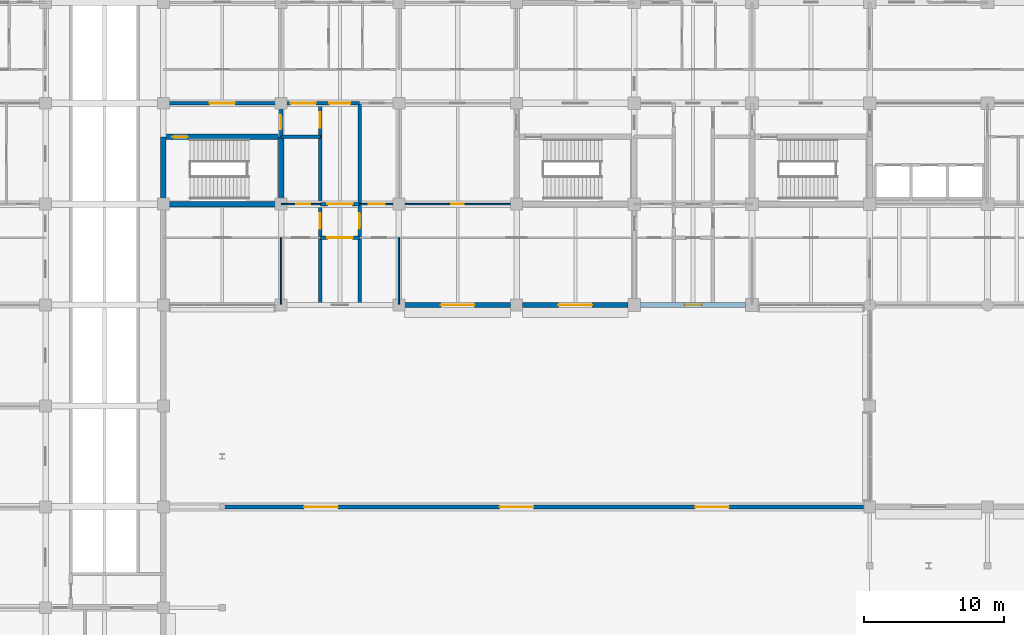
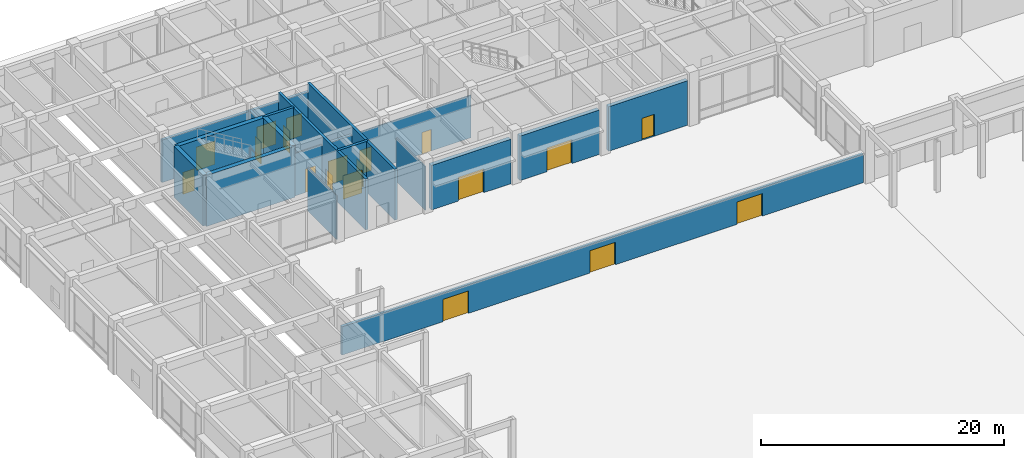
# One storey, part 41 of 73: 19 doors, 19 walls, 19 openings.
"""IFC4 building model written with IfcOpenShell, lengths in metres."""

from ifc_helpers import new_model, si_unit, direction, frame, frame_2d, origin, place, context, subcontext, project, spatial, rectangle, extrude, material, layer, layer_set, type_object, element, fill, save


model = new_model("IFC4")

# Units and contexts
model_context = context("Model", 3, precision=1e-05, world=origin(), true_north=direction((0.0, 1.0)))
body_context = subcontext(model_context, "Body", "Model", "MODEL_VIEW")
ifc_project = project(units=[si_unit("LENGTHUNIT", "METRE"), si_unit("AREAUNIT", "SQUARE_METRE"), si_unit("VOLUMEUNIT", "CUBIC_METRE"), si_unit("PLANEANGLEUNIT", "RADIAN"), si_unit("MASSUNIT", "GRAM", prefix="KILO")], contexts=[model_context])

# Site, building, storey
site_placement = place(None, origin())
site = spatial("IfcSite", under=ifc_project, at=site_placement, CompositionType="ELEMENT")
building_placement = place(site_placement, origin())
building = spatial("IfcBuilding", under=site, at=building_placement, Name="Chengyuan Square Courthouse", CompositionType="ELEMENT")
storey_placement = place(building_placement, origin())
storey = spatial("IfcBuildingStorey", under=building, at=storey_placement, Name="L01", CompositionType="ELEMENT", Elevation=0.0)

# Wall, opening, door
ifc_material_1 = material(Name="Concrete C40", Category="concrete")
ifc_layer_1 = layer(ifc_material_1, 0.3798828125)
ifc_layer_set_1 = layer_set([ifc_layer_1], Name="Concrete C40")
wall_type_1 = type_object("IfcWallType", Name="WL-EW1", PredefinedType="STANDARD", material=ifc_layer_set_1)
wall_1_placement = place(storey_placement, frame((34.02001953125, 79.199951171875, 0.0), z_axis=(0.0, 0.0, 1.0), x_axis=(1.0, 0.0, 0.0)))
wall_1 = element("IfcWall", 1, at=wall_1_placement, inside=storey, type_object=wall_type_1, Name="Exterior Wall WL-L01-E164", PredefinedType="STANDARD", context=body_context, shape_type="SweptSolid", body=[
    extrude(rectangle(XDim=7.56005859375, YDim=0.3798828125, at=frame_2d((3.780029296875, 0.0))), origin(), (0.0, 0.0, 1.0), 4.469970703125),
])
opening_1_placement = place(wall_1_placement, frame((2.580078125, 0.0, 0.0)))
opening_1 = element("IfcOpeningElement", 2, at=opening_1_placement, cuts=wall_1, Name="Opening E-15", PredefinedType="OPENING", context=body_context, shape_type="SweptSolid", body=[
    extrude(rectangle(XDim=2.39990234375, YDim=2.39990234375, at=frame_2d((1.199951171875, 1.199951171875))), frame((0.0, 0.201904296875, 0.0), z_axis=(0.0, -1.0, 0.0), x_axis=(1.0, 0.0, 0.0)), (0.0, 0.0, 1.0), 0.40380859375),
])
ifc_material_2 = material(Name="Glazed Bronze Civic Entrance Door")
door_type_1 = type_object("IfcDoorType", Name="DT-01", OperationType="DOUBLE_DOOR_SINGLE_SWING", PredefinedType="DOOR", material=ifc_material_2)
door_1_placement = place(opening_1_placement, frame((2.39990234375, 0.0, 0.0), z_axis=(0.0, 0.0, 1.0), x_axis=(-1.0, 0.0, 0.0)))
door_1 = element("IfcDoor", 3, at=door_1_placement, inside=storey, type_object=door_type_1, Name="Main Pedestrian Entrance Exit Door E-15", OperationType="DOUBLE_DOOR_SINGLE_SWING", OverallHeight=2.39990234375, OverallWidth=2.39990234375, PredefinedType="DOOR", context=body_context, shape_type="SweptSolid", body=[
    extrude(rectangle(XDim=2.39990234375, YDim=2.39990234375, at=frame_2d((1.199951171875, 1.199951171875))), frame((0.0, 0.02490234375, 0.0), z_axis=(0.0, -1.0, 0.0), x_axis=(1.0, 0.0, 0.0)), (0.0, 0.0, 1.0), 0.050048828125),
])
fill(opening_1, door_1)

wall_2_placement = place(storey_placement, frame((42.419921875, 79.199951171875, 0.0), z_axis=(0.0, 0.0, 1.0), x_axis=(1.0, 0.0, 0.0)))
wall_2 = element("IfcWall", 4, at=wall_2_placement, inside=storey, type_object=wall_type_1, Name="Exterior Wall WL-L01-E165", PredefinedType="STANDARD", context=body_context, shape_type="SweptSolid", body=[
    extrude(rectangle(XDim=7.53515625, YDim=0.3798828125, at=frame_2d((3.767578125, 0.0))), origin(), (0.0, 0.0, 1.0), 4.469970703125),
])
opening_2_placement = place(wall_2_placement, frame((2.5673828125, 0.0, 0.0)))
opening_2 = element("IfcOpeningElement", 5, at=opening_2_placement, cuts=wall_2, Name="Opening E-13", PredefinedType="OPENING", context=body_context, shape_type="SweptSolid", body=[
    extrude(rectangle(XDim=2.39990234375, YDim=2.39990234375, at=frame_2d((1.199951171875, 1.199951171875))), frame((0.0, 0.201904296875, 0.0), z_axis=(0.0, -1.0, 0.0), x_axis=(1.0, 0.0, 0.0)), (0.0, 0.0, 1.0), 0.40380859375),
])
door_2_placement = place(opening_2_placement, frame((2.39990234375, 0.0, 0.0), z_axis=(0.0, 0.0, 1.0), x_axis=(-1.0, 0.0, 0.0)))
door_2 = element("IfcDoor", 6, at=door_2_placement, inside=storey, type_object=door_type_1, Name="Main Pedestrian Entrance Exit Door E-13", OperationType="DOUBLE_DOOR_SINGLE_SWING", OverallHeight=2.39990234375, OverallWidth=2.39990234375, PredefinedType="DOOR", context=body_context, shape_type="SweptSolid", body=[
    extrude(rectangle(XDim=2.39990234375, YDim=2.39990234375, at=frame_2d((1.199951171875, 1.199951171875))), frame((0.0, 0.02490234375, 0.0), z_axis=(0.0, -1.0, 0.0), x_axis=(1.0, 0.0, 0.0)), (0.0, 0.0, 1.0), 0.050048828125),
])
fill(opening_2, door_2)

wall_3_placement = place(storey_placement, frame((50.844970703125, 79.199951171875, 0.0), z_axis=(0.0, 0.0, 1.0), x_axis=(1.0, 0.0, 0.0)))
wall_3 = element("IfcWall", 7, at=wall_3_placement, inside=storey, type_object=wall_type_1, Name="Exterior Wall WL-L01-E167", PredefinedType="STANDARD", context=body_context, shape_type="SweptSolid", body=[
    extrude(rectangle(XDim=7.510009765625, YDim=0.3798828125, at=frame_2d((3.7548828125, 0.0))), origin(), (0.0, 0.0, 1.0), 4.469970703125),
])
opening_3_placement = place(wall_3_placement, frame((3.155029296875, 0.0, 0.0)))
opening_3 = element("IfcOpeningElement", 8, at=opening_3_placement, cuts=wall_3, Name="Opening E-26", PredefinedType="OPENING", context=body_context, shape_type="SweptSolid", body=[
    extrude(rectangle(XDim=1.199951171875, YDim=2.199951171875, at=frame_2d((0.60009765625, 1.10009765625))), frame((0.0, 0.201904296875, 0.0), z_axis=(0.0, -1.0, 0.0), x_axis=(1.0, 0.0, 0.0)), (0.0, 0.0, 1.0), 0.40380859375),
])
ifc_material_3 = material(Name="Steel Q235B Fire Exit Door", Category="steel")
door_type_2 = type_object("IfcDoorType", Name="DT-03", OperationType="NOTDEFINED", PredefinedType="DOOR", material=ifc_material_3)
door_3_placement = place(opening_3_placement, frame((1.199951171875, 0.0, 0.0), z_axis=(0.0, 0.0, 1.0), x_axis=(-1.0, 0.0, 0.0)))
door_3 = element("IfcDoor", 9, at=door_3_placement, inside=storey, type_object=door_type_2, Name="Protected Stair Exit Discharge Door E-26", OperationType="SINGLE_SWING_RIGHT", OverallHeight=2.199951171875, OverallWidth=1.199951171875, PredefinedType="DOOR", context=body_context, shape_type="SweptSolid", body=[
    extrude(rectangle(XDim=1.199951171875, YDim=2.199951171875, at=frame_2d((0.60009765625, 1.10009765625))), frame((0.0, 0.02490234375, 0.0), z_axis=(0.0, -1.0, 0.0), x_axis=(1.0, 0.0, 0.0)), (0.0, 0.0, 1.0), 0.050048828125),
])
fill(opening_3, door_3)

# Wall, openings, doors
ifc_layer_2 = layer(ifc_material_1, 0.280029296875)
ifc_layer_set_2 = layer_set([ifc_layer_2], Name="Concrete C40")
wall_type_2 = type_object("IfcWallType", Name="WL-EW4", PredefinedType="STANDARD", material=ifc_layer_set_2)
wall_4_placement = place(storey_placement, frame((17.25, 64.800048828125, 0.0), z_axis=(0.0, 0.0, 1.0), x_axis=(1.0, 0.0, 0.0)))
wall_4 = element("IfcWall", 10, at=wall_4_placement, inside=storey, type_object=wall_type_2, Name="Forecourt Ceremonial Colonnade Screen WL-SCR-W", PredefinedType="STANDARD", context=body_context, shape_type="SweptSolid", body=[
    extrude(rectangle(XDim=49.5, YDim=0.280029296875, at=frame_2d((24.75, 0.0))), origin(), (0.0, 0.0, 1.0), 2.85009765625),
])
opening_4_placement = place(wall_4_placement, frame((9.60009765625, 0.0, 0.0)))
opening_4 = element("IfcOpeningElement", 11, at=opening_4_placement, cuts=wall_4, Name="Opening GT-01", PredefinedType="OPENING", context=body_context, shape_type="SweptSolid", body=[
    extrude(rectangle(XDim=2.39990234375, YDim=2.25, at=frame_2d((1.199951171875, 1.125))), frame((0.0, 0.152099609375, 0.0), z_axis=(0.0, -1.0, 0.0), x_axis=(1.0, 0.0, 0.0)), (0.0, 0.0, 1.0), 0.303955078125),
])
opening_5_placement = place(wall_4_placement, frame((23.550048828125, 0.0, 0.0)))
opening_5 = element("IfcOpeningElement", 12, at=opening_5_placement, cuts=wall_4, Name="Opening GT-02", PredefinedType="OPENING", context=body_context, shape_type="SweptSolid", body=[
    extrude(rectangle(XDim=2.39990234375, YDim=2.25, at=frame_2d((1.199951171875, 1.125))), frame((0.0, 0.152099609375, 0.0), z_axis=(0.0, -1.0, 0.0), x_axis=(1.0, 0.0, 0.0)), (0.0, 0.0, 1.0), 0.303955078125),
])
opening_6_placement = place(wall_4_placement, frame((37.5, 0.0, 0.0)))
opening_6 = element("IfcOpeningElement", 13, at=opening_6_placement, cuts=wall_4, Name="Opening GT-03", PredefinedType="OPENING", context=body_context, shape_type="SweptSolid", body=[
    extrude(rectangle(XDim=2.39990234375, YDim=2.25, at=frame_2d((1.199951171875, 1.125))), frame((0.0, 0.152099609375, 0.0), z_axis=(0.0, -1.0, 0.0), x_axis=(1.0, 0.0, 0.0)), (0.0, 0.0, 1.0), 0.303955078125),
])
ifc_material_4 = material(Name="Steel Q235B Courtyard Gate", Category="steel")
door_type_3 = type_object("IfcDoorType", Name="DT-45", OperationType="DOUBLE_DOOR_SINGLE_SWING", PredefinedType="GATE", material=ifc_material_4)
door_4_placement = place(opening_4_placement, frame((2.39990234375, 0.0, 0.0), z_axis=(0.0, 0.0, 1.0), x_axis=(-1.0, 0.0, 0.0)))
door_4 = element("IfcDoor", 14, at=door_4_placement, inside=storey, type_object=door_type_3, Name="Forecourt Ceremonial Gate GT-01", OperationType="DOUBLE_DOOR_SINGLE_SWING", OverallHeight=2.25, OverallWidth=2.39990234375, PredefinedType="GATE", context=body_context, shape_type="SweptSolid", body=[
    extrude(rectangle(XDim=2.39990234375, YDim=2.25, at=frame_2d((1.199951171875, 1.125))), frame((0.0, 0.02490234375, 0.0), z_axis=(0.0, -1.0, 0.0), x_axis=(1.0, 0.0, 0.0)), (0.0, 0.0, 1.0), 0.050048828125),
])
fill(opening_4, door_4)
door_5_placement = place(opening_5_placement, frame((2.39990234375, 0.0, 0.0), z_axis=(0.0, 0.0, 1.0), x_axis=(-1.0, 0.0, 0.0)))
door_5 = element("IfcDoor", 15, at=door_5_placement, inside=storey, type_object=door_type_3, Name="Forecourt Ceremonial Gate GT-02", OperationType="DOUBLE_DOOR_SINGLE_SWING", OverallHeight=2.25, OverallWidth=2.39990234375, PredefinedType="GATE", context=body_context, shape_type="SweptSolid", body=[
    extrude(rectangle(XDim=2.39990234375, YDim=2.25, at=frame_2d((1.199951171875, 1.125))), frame((0.0, 0.02490234375, 0.0), z_axis=(0.0, -1.0, 0.0), x_axis=(1.0, 0.0, 0.0)), (0.0, 0.0, 1.0), 0.050048828125),
])
fill(opening_5, door_5)
door_6_placement = place(opening_6_placement, frame((2.39990234375, 0.0, 0.0), z_axis=(0.0, 0.0, 1.0), x_axis=(-1.0, 0.0, 0.0)))
door_6 = element("IfcDoor", 16, at=door_6_placement, inside=storey, type_object=door_type_3, Name="Forecourt Ceremonial Gate GT-03", OperationType="DOUBLE_DOOR_SINGLE_SWING", OverallHeight=2.25, OverallWidth=2.39990234375, PredefinedType="GATE", context=body_context, shape_type="SweptSolid", body=[
    extrude(rectangle(XDim=2.39990234375, YDim=2.25, at=frame_2d((1.199951171875, 1.125))), frame((0.0, 0.02490234375, 0.0), z_axis=(0.0, -1.0, 0.0), x_axis=(1.0, 0.0, 0.0)), (0.0, 0.0, 1.0), 0.050048828125),
])
fill(opening_6, door_6)

# Wall, opening, door
ifc_layer_3 = layer(ifc_material_1, 0.25)
ifc_layer_set_3 = layer_set([ifc_layer_3], Name="Concrete C40")
wall_type_3 = type_object("IfcWallType", Name="WL-FW1", PredefinedType="STANDARD", material=ifc_layer_set_3)
wall_5_placement = place(storey_placement, frame((28.0, 84.0, 0.0), z_axis=(0.0, 0.0, 1.0), x_axis=(1.0, 0.0, 0.0)))
wall_5 = element("IfcWall", 17, at=wall_5_placement, inside=storey, type_object=wall_type_3, Name="Interior Wall WL-L01-I672", PredefinedType="STANDARD", context=body_context, shape_type="SweptSolid", body=[
    extrude(rectangle(XDim=2.800048828125, YDim=0.25, at=frame_2d((1.39990234375, 0.0))), origin(), (0.0, 0.0, 1.0), 5.1201171875),
])
opening_7_placement = place(wall_5_placement, frame((0.5, 0.0, 0.0)))
opening_7 = element("IfcOpeningElement", 18, at=opening_7_placement, cuts=wall_5, Name="Opening DR-912", PredefinedType="OPENING", context=body_context, shape_type="SweptSolid", body=[
    extrude(rectangle(XDim=1.800048828125, YDim=2.35009765625, at=frame_2d((0.89990234375, 1.175048828125))), frame((0.0, 0.136962890625, 0.0), z_axis=(0.0, -1.0, 0.0), x_axis=(1.0, 0.0, 0.0)), (0.0, 0.0, 1.0), 0.27392578125),
])
ifc_material_5 = material(Name="Steel Q235B Glazed Fire Door", Category="steel")
door_type_4 = type_object("IfcDoorType", Name="DT-18", OperationType="DOUBLE_DOOR_SINGLE_SWING", PredefinedType="DOOR", material=ifc_material_5)
door_7_placement = place(opening_7_placement, frame((1.800048828125, 0.0, 0.0), z_axis=(0.0, 0.0, 1.0), x_axis=(-1.0, 0.0, 0.0)))
door_7 = element("IfcDoor", 19, at=door_7_placement, inside=storey, type_object=door_type_4, Name="Interior Door DR-912", OperationType="DOUBLE_DOOR_SINGLE_SWING", OverallHeight=2.35009765625, OverallWidth=1.800048828125, PredefinedType="DOOR", context=body_context, shape_type="SweptSolid", body=[
    extrude(rectangle(XDim=1.800048828125, YDim=2.35009765625, at=frame_2d((0.89990234375, 1.175048828125))), frame((0.0, 0.02490234375, 0.0), z_axis=(0.0, -1.0, 0.0), x_axis=(1.0, 0.0, 0.0)), (0.0, 0.0, 1.0), 0.050048828125),
])
fill(opening_7, door_7)

wall_6_placement = place(storey_placement, frame((28.0, 86.39990234375, 0.0), z_axis=(0.0, 0.0, 1.0), x_axis=(1.0, 0.0, 0.0)))
wall_6 = element("IfcWall", 20, at=wall_6_placement, inside=storey, type_object=wall_type_3, Name="Interior Wall WL-L01-I683", PredefinedType="STANDARD", context=body_context, shape_type="SweptSolid", body=[
    extrude(rectangle(XDim=2.800048828125, YDim=0.25, at=frame_2d((1.39990234375, 0.0))), origin(), (0.0, 0.0, 1.0), 4.27001953125),
])
opening_8_placement = place(wall_6_placement, frame((0.5, 0.0, 0.0)))
opening_8 = element("IfcOpeningElement", 21, at=opening_8_placement, cuts=wall_6, Name="Opening DR-864", PredefinedType="OPENING", context=body_context, shape_type="SweptSolid", body=[
    extrude(rectangle(XDim=1.800048828125, YDim=2.35009765625, at=frame_2d((0.89990234375, 1.175048828125))), frame((0.0, 0.136962890625, 0.0), z_axis=(0.0, -1.0, 0.0), x_axis=(1.0, 0.0, 0.0)), (0.0, 0.0, 1.0), 0.27392578125),
])
door_8_placement = place(opening_8_placement, frame((1.800048828125, 0.0, 0.0), z_axis=(0.0, 0.0, 1.0), x_axis=(-1.0, 0.0, 0.0)))
door_8 = element("IfcDoor", 22, at=door_8_placement, inside=storey, type_object=door_type_4, Name="Interior Door DR-864", OperationType="DOUBLE_DOOR_SINGLE_SWING", OverallHeight=2.35009765625, OverallWidth=1.800048828125, PredefinedType="DOOR", context=body_context, shape_type="SweptSolid", body=[
    extrude(rectangle(XDim=1.800048828125, YDim=2.35009765625, at=frame_2d((0.89990234375, 1.175048828125))), frame((0.0, 0.02490234375, 0.0), z_axis=(0.0, -1.0, 0.0), x_axis=(1.0, 0.0, 0.0)), (0.0, 0.0, 1.0), 0.050048828125),
])
fill(opening_8, door_8)

# Wall
wall_7_placement = place(storey_placement, frame((25.199951171875, 91.199951171875, 0.0), z_axis=(0.0, 0.0, 1.0), x_axis=(1.0, 0.0, 0.0)))
element("IfcWall", 23, at=wall_7_placement, inside=storey, type_object=wall_type_3, Name="Interior Wall WL-L01-I713", PredefinedType="STANDARD", context=body_context, shape_type="SweptSolid", body=[
    extrude(rectangle(XDim=2.800048828125, YDim=0.25, at=frame_2d((1.39990234375, 0.0))), origin(), (0.0, 0.0, 1.0), 5.1201171875),
])

# Wall, openings, doors
wall_8_placement = place(storey_placement, frame((16.800048828125, 93.60009765625, 0.0), z_axis=(0.0, 0.0, 1.0), x_axis=(1.0, 0.0, 0.0)))
wall_8 = element("IfcWall", 24, at=wall_8_placement, inside=storey, type_object=wall_type_3, Name="Interior Wall WL-L01-I726", PredefinedType="STANDARD", context=body_context, shape_type="SweptSolid", body=[
    extrude(rectangle(XDim=14.0, YDim=0.25, at=frame_2d((7.0, 0.0))), origin(), (0.0, 0.0, 1.0), 4.27001953125),
])
opening_9_placement = place(wall_8_placement, frame((3.300048828125, 0.0, 0.0)))
opening_9 = element("IfcOpeningElement", 25, at=opening_9_placement, cuts=wall_8, Name="Opening DR-692", PredefinedType="OPENING", context=body_context, shape_type="SweptSolid", body=[
    extrude(rectangle(XDim=1.800048828125, YDim=2.35009765625, at=frame_2d((0.89990234375, 1.175048828125))), frame((0.0, 0.136962890625, 0.0), z_axis=(0.0, -1.0, 0.0), x_axis=(1.0, 0.0, 0.0)), (0.0, 0.0, 1.0), 0.27392578125),
])
opening_10_placement = place(wall_8_placement, frame((9.072509765625, 0.0, 0.0)))
opening_10 = element("IfcOpeningElement", 26, at=opening_10_placement, cuts=wall_8, Name="Opening DR-800", PredefinedType="OPENING", context=body_context, shape_type="SweptSolid", body=[
    extrude(rectangle(XDim=1.800048828125, YDim=2.35009765625, at=frame_2d((0.89990234375, 1.175048828125))), frame((0.0, 0.136962890625, 0.0), z_axis=(0.0, -1.0, 0.0), x_axis=(1.0, 0.0, 0.0)), (0.0, 0.0, 1.0), 0.27392578125),
])
opening_11_placement = place(wall_8_placement, frame((11.85009765625, 0.0, 0.0)))
opening_11 = element("IfcOpeningElement", 27, at=opening_11_placement, cuts=wall_8, Name="Opening DR-801", PredefinedType="OPENING", context=body_context, shape_type="SweptSolid", body=[
    extrude(rectangle(XDim=1.5, YDim=2.25, at=frame_2d((0.75, 1.125))), frame((0.0, 0.136962890625, 0.0), z_axis=(0.0, -1.0, 0.0), x_axis=(1.0, 0.0, 0.0)), (0.0, 0.0, 1.0), 0.27392578125),
])
door_9_placement = place(opening_9_placement, frame((1.800048828125, 0.0, 0.0), z_axis=(0.0, 0.0, 1.0), x_axis=(-1.0, 0.0, 0.0)))
door_9 = element("IfcDoor", 28, at=door_9_placement, inside=storey, type_object=door_type_4, Name="Interior Door DR-692", OperationType="DOUBLE_DOOR_SINGLE_SWING", OverallHeight=2.35009765625, OverallWidth=1.800048828125, PredefinedType="DOOR", context=body_context, shape_type="SweptSolid", body=[
    extrude(rectangle(XDim=1.800048828125, YDim=2.35009765625, at=frame_2d((0.89990234375, 1.175048828125))), frame((0.0, 0.02490234375, 0.0), z_axis=(0.0, -1.0, 0.0), x_axis=(1.0, 0.0, 0.0)), (0.0, 0.0, 1.0), 0.050048828125),
])
fill(opening_9, door_9)
door_10_placement = place(opening_10_placement, frame((1.800048828125, 0.0, 0.0), z_axis=(0.0, 0.0, 1.0), x_axis=(-1.0, 0.0, 0.0)))
door_10 = element("IfcDoor", 29, at=door_10_placement, inside=storey, type_object=door_type_4, Name="Interior Door DR-800", OperationType="DOUBLE_DOOR_SINGLE_SWING", OverallHeight=2.35009765625, OverallWidth=1.800048828125, PredefinedType="DOOR", context=body_context, shape_type="SweptSolid", body=[
    extrude(rectangle(XDim=1.800048828125, YDim=2.35009765625, at=frame_2d((0.89990234375, 1.175048828125))), frame((0.0, 0.02490234375, 0.0), z_axis=(0.0, -1.0, 0.0), x_axis=(1.0, 0.0, 0.0)), (0.0, 0.0, 1.0), 0.050048828125),
])
fill(opening_10, door_10)
door_type_5 = type_object("IfcDoorType", Name="DT-19", OperationType="DOUBLE_DOOR_SINGLE_SWING", PredefinedType="DOOR", material=ifc_material_5)
door_11_placement = place(opening_11_placement, frame((1.5, 0.0, 0.0), z_axis=(0.0, 0.0, 1.0), x_axis=(-1.0, 0.0, 0.0)))
door_11 = element("IfcDoor", 30, at=door_11_placement, inside=storey, type_object=door_type_5, Name="Interior Door DR-801", OperationType="DOUBLE_DOOR_SINGLE_SWING", OverallHeight=2.25, OverallWidth=1.5, PredefinedType="DOOR", context=body_context, shape_type="SweptSolid", body=[
    extrude(rectangle(XDim=1.5, YDim=2.25, at=frame_2d((0.75, 1.125))), frame((0.0, 0.02490234375, 0.0), z_axis=(0.0, -1.0, 0.0), x_axis=(1.0, 0.0, 0.0)), (0.0, 0.0, 1.0), 0.050048828125),
])
fill(opening_11, door_11)

# Wall, opening, door
wall_9_placement = place(storey_placement, frame((25.199951171875, 91.199951171875, 0.0), z_axis=(0.0, 0.0, 1.0), x_axis=(0.0, 1.0, 0.0)))
wall_9 = element("IfcWall", 31, at=wall_9_placement, inside=storey, type_object=wall_type_3, Name="Interior Wall WL-L01-I845", PredefinedType="STANDARD", context=body_context, shape_type="SweptSolid", body=[
    extrude(rectangle(XDim=2.400146484375, YDim=0.25, at=frame_2d((1.2001953125, 0.0))), origin(), (0.0, 0.0, 1.0), 4.3701171875),
])
opening_12_placement = place(wall_9_placement, frame((0.527587890625, 0.0, 0.0)))
opening_12 = element("IfcOpeningElement", 32, at=opening_12_placement, cuts=wall_9, Name="Opening DR-693", PredefinedType="OPENING", context=body_context, shape_type="SweptSolid", body=[
    extrude(rectangle(XDim=1.0, YDim=2.199951171875, at=frame_2d((0.5, 1.10009765625))), frame((0.0, 0.136962890625, 0.0), z_axis=(0.0, -1.0, 0.0), x_axis=(1.0, 0.0, 0.0)), (0.0, 0.0, 1.0), 0.27392578125),
])
ifc_material_6 = material(Name="Steel Q235B Fire Door", Category="steel")
door_type_6 = type_object("IfcDoorType", Name="DT-11", OperationType="NOTDEFINED", PredefinedType="DOOR", material=ifc_material_6)
door_12_placement = place(opening_12_placement, origin())
door_12 = element("IfcDoor", 33, at=door_12_placement, inside=storey, type_object=door_type_6, Name="Interior Door DR-693", OperationType="SINGLE_SWING_LEFT", OverallHeight=2.199951171875, OverallWidth=1.0, PredefinedType="DOOR", context=body_context, shape_type="SweptSolid", body=[
    extrude(rectangle(XDim=1.0, YDim=2.199951171875, at=frame_2d((0.5, 1.10009765625))), frame((0.0, 0.02490234375, 0.0), z_axis=(0.0, -1.0, 0.0), x_axis=(1.0, 0.0, 0.0)), (0.0, 0.0, 1.0), 0.050048828125),
])
fill(opening_12, door_12)

# Wall, openings, doors
wall_10_placement = place(storey_placement, frame((28.0, 79.239990234375, 0.0), z_axis=(0.0, 0.0, 1.0), x_axis=(0.0, 1.0, 0.0)))
wall_10 = element("IfcWall", 34, at=wall_10_placement, inside=storey, type_object=wall_type_3, Name="Interior Wall WL-L01-I848", PredefinedType="STANDARD", context=body_context, shape_type="SweptSolid", body=[
    extrude(rectangle(XDim=14.360107421875, YDim=0.25, at=frame_2d((7.18017578125, 0.0))), origin(), (0.0, 0.0, 1.0), 5.1201171875),
])
opening_13_placement = place(wall_10_placement, frame((12.610107421875, 0.0, 0.0)))
opening_13 = element("IfcOpeningElement", 35, at=opening_13_placement, cuts=wall_10, Name="Opening DR-863", PredefinedType="OPENING", context=body_context, shape_type="SweptSolid", body=[
    extrude(rectangle(XDim=1.10009765625, YDim=2.199951171875, at=frame_2d((0.550048828125, 1.10009765625))), frame((0.0, 0.136962890625, 0.0), z_axis=(0.0, -1.0, 0.0), x_axis=(1.0, 0.0, 0.0)), (0.0, 0.0, 1.0), 0.27392578125),
])
opening_14_placement = place(wall_10_placement, frame((5.409912109375, 0.0, 0.0)))
opening_14 = element("IfcOpeningElement", 36, at=opening_14_placement, cuts=wall_10, Name="Opening DR-908", PredefinedType="OPENING", context=body_context, shape_type="SweptSolid", body=[
    extrude(rectangle(XDim=1.10009765625, YDim=2.199951171875, at=frame_2d((0.550048828125, 1.10009765625))), frame((0.0, 0.136962890625, 0.0), z_axis=(0.0, -1.0, 0.0), x_axis=(1.0, 0.0, 0.0)), (0.0, 0.0, 1.0), 0.27392578125),
])
door_type_7 = type_object("IfcDoorType", Name="DT-10", OperationType="NOTDEFINED", PredefinedType="DOOR", material=ifc_material_6)
door_13_placement = place(opening_13_placement, origin())
door_13 = element("IfcDoor", 37, at=door_13_placement, inside=storey, type_object=door_type_7, Name="Interior Door DR-863", OperationType="SINGLE_SWING_LEFT", OverallHeight=2.199951171875, OverallWidth=1.10009765625, PredefinedType="DOOR", context=body_context, shape_type="SweptSolid", body=[
    extrude(rectangle(XDim=1.10009765625, YDim=2.199951171875, at=frame_2d((0.550048828125, 1.10009765625))), frame((0.0, 0.02490234375, 0.0), z_axis=(0.0, -1.0, 0.0), x_axis=(1.0, 0.0, 0.0)), (0.0, 0.0, 1.0), 0.050048828125),
])
fill(opening_13, door_13)
door_14_placement = place(opening_14_placement, origin())
door_14 = element("IfcDoor", 38, at=door_14_placement, inside=storey, type_object=door_type_7, Name="Interior Door DR-908", OperationType="SINGLE_SWING_LEFT", OverallHeight=2.199951171875, OverallWidth=1.10009765625, PredefinedType="DOOR", context=body_context, shape_type="SweptSolid", body=[
    extrude(rectangle(XDim=1.10009765625, YDim=2.199951171875, at=frame_2d((0.550048828125, 1.10009765625))), frame((0.0, 0.02490234375, 0.0), z_axis=(0.0, -1.0, 0.0), x_axis=(1.0, 0.0, 0.0)), (0.0, 0.0, 1.0), 0.050048828125),
])
fill(opening_14, door_14)

# Wall, opening, door
wall_11_placement = place(storey_placement, frame((30.800048828125, 79.239990234375, 0.0), z_axis=(0.0, 0.0, 1.0), x_axis=(0.0, 1.0, 0.0)))
wall_11 = element("IfcWall", 39, at=wall_11_placement, inside=storey, type_object=wall_type_3, Name="Interior Wall WL-L01-I850", PredefinedType="STANDARD", context=body_context, shape_type="SweptSolid", body=[
    extrude(rectangle(XDim=14.360107421875, YDim=0.25, at=frame_2d((7.18017578125, 0.0))), origin(), (0.0, 0.0, 1.0), 5.1201171875),
])
opening_15_placement = place(wall_11_placement, frame((5.409912109375, 0.0, 0.0)))
opening_15 = element("IfcOpeningElement", 40, at=opening_15_placement, cuts=wall_11, Name="Opening DR-911", PredefinedType="OPENING", context=body_context, shape_type="SweptSolid", body=[
    extrude(rectangle(XDim=1.10009765625, YDim=2.199951171875, at=frame_2d((0.550048828125, 1.10009765625))), frame((0.0, 0.136962890625, 0.0), z_axis=(0.0, -1.0, 0.0), x_axis=(1.0, 0.0, 0.0)), (0.0, 0.0, 1.0), 0.27392578125),
])
door_15_placement = place(opening_15_placement, origin())
door_15 = element("IfcDoor", 41, at=door_15_placement, inside=storey, type_object=door_type_7, Name="Interior Door DR-911", OperationType="SINGLE_SWING_RIGHT", OverallHeight=2.199951171875, OverallWidth=1.10009765625, PredefinedType="DOOR", context=body_context, shape_type="SweptSolid", body=[
    extrude(rectangle(XDim=1.10009765625, YDim=2.199951171875, at=frame_2d((0.550048828125, 1.10009765625))), frame((0.0, 0.02490234375, 0.0), z_axis=(0.0, -1.0, 0.0), x_axis=(1.0, 0.0, 0.0)), (0.0, 0.0, 1.0), 0.050048828125),
])
fill(opening_15, door_15)

ifc_material_7 = material(Name="Gypsum Plasterboard Acoustic Stud Partition")
ifc_layer_4 = layer(ifc_material_7, 0.10009765625)
ifc_layer_set_4 = layer_set([ifc_layer_4], Name="Gypsum Plasterboard Acoustic Stud Partition")
wall_type_4 = type_object("IfcWallType", Name="WL-PT6", PredefinedType="STANDARD", material=ifc_layer_set_4)
wall_12_placement = place(storey_placement, frame((25.199951171875, 86.39990234375, 0.0), z_axis=(0.0, 0.0, 1.0), x_axis=(1.0, 0.0, 0.0)))
wall_12 = element("IfcWall", 42, at=wall_12_placement, inside=storey, type_object=wall_type_4, Name="Interior Wall WL-L01-I682", PredefinedType="STANDARD", context=body_context, shape_type="SweptSolid", body=[
    extrude(rectangle(XDim=2.800048828125, YDim=0.10009765625, at=frame_2d((1.39990234375, 0.0))), origin(), (0.0, 0.0, 1.0), 4.27001953125),
])
opening_16_placement = place(wall_12_placement, frame((1.08251953125, 0.0, 0.0)))
opening_16 = element("IfcOpeningElement", 43, at=opening_16_placement, cuts=wall_12, Name="Opening DR-862", PredefinedType="OPENING", context=body_context, shape_type="SweptSolid", body=[
    extrude(rectangle(XDim=0.97998046875, YDim=2.35009765625, at=frame_2d((0.489990234375, 1.175048828125))), frame((0.0, 0.06201171875, 0.0), z_axis=(0.0, -1.0, 0.0), x_axis=(1.0, 0.0, 0.0)), (0.0, 0.0, 1.0), 0.1240234375),
])
ifc_material_8 = material(Name="Acoustic Solid-Core Timber Door", Category="wood")
door_type_8 = type_object("IfcDoorType", Name="DT-40", OperationType="NOTDEFINED", PredefinedType="DOOR", material=ifc_material_8)
door_16_placement = place(opening_16_placement, origin())
door_16 = element("IfcDoor", 44, at=door_16_placement, inside=storey, type_object=door_type_8, Name="Interior Door DR-862", OperationType="SINGLE_SWING_RIGHT", OverallHeight=2.35009765625, OverallWidth=0.97998046875, PredefinedType="DOOR", context=body_context, shape_type="SweptSolid", body=[
    extrude(rectangle(XDim=0.97998046875, YDim=2.35009765625, at=frame_2d((0.489990234375, 1.175048828125))), frame((0.0, 0.02490234375, 0.0), z_axis=(0.0, -1.0, 0.0), x_axis=(1.0, 0.0, 0.0)), (0.0, 0.0, 1.0), 0.050048828125),
])
fill(opening_16, door_16)

# Wall, openings, doors
wall_13_placement = place(storey_placement, frame((30.800048828125, 86.39990234375, 0.0), z_axis=(0.0, 0.0, 1.0), x_axis=(1.0, 0.0, 0.0)))
wall_13 = element("IfcWall", 45, at=wall_13_placement, inside=storey, type_object=wall_type_4, Name="Interior Wall WL-L01-I684", PredefinedType="STANDARD", context=body_context, shape_type="SweptSolid", body=[
    extrude(rectangle(XDim=11.199951171875, YDim=0.10009765625, at=frame_2d((5.60009765625, 0.0))), origin(), (0.0, 0.0, 1.0), 4.27001953125),
])
opening_17_placement = place(wall_13_placement, frame((0.657470703125, 0.0, 0.0)))
opening_17 = element("IfcOpeningElement", 46, at=opening_17_placement, cuts=wall_13, Name="Opening DR-865", PredefinedType="OPENING", context=body_context, shape_type="SweptSolid", body=[
    extrude(rectangle(XDim=1.139892578125, YDim=2.39990234375, at=frame_2d((0.56982421875, 1.199951171875))), frame((0.0, 0.06201171875, 0.0), z_axis=(0.0, -1.0, 0.0), x_axis=(1.0, 0.0, 0.0)), (0.0, 0.0, 1.0), 0.1240234375),
])
opening_18_placement = place(wall_13_placement, frame((6.550048828125, 0.0, 0.0)))
opening_18 = element("IfcOpeningElement", 47, at=opening_18_placement, cuts=wall_13, Name="Opening DR-866", PredefinedType="OPENING", context=body_context, shape_type="SweptSolid", body=[
    extrude(rectangle(XDim=0.89990234375, YDim=2.14990234375, at=frame_2d((0.449951171875, 1.074951171875))), frame((0.0, 0.06201171875, 0.0), z_axis=(0.0, -1.0, 0.0), x_axis=(1.0, 0.0, 0.0)), (0.0, 0.0, 1.0), 0.1240234375),
])
door_type_9 = type_object("IfcDoorType", Name="DT-27", OperationType="NOTDEFINED", PredefinedType="DOOR", material=ifc_material_8)
door_17_placement = place(opening_18_placement, origin())
door_17 = element("IfcDoor", 48, at=door_17_placement, inside=storey, type_object=door_type_9, Name="Interior Door DR-866", OperationType="SINGLE_SWING_LEFT", OverallHeight=2.14990234375, OverallWidth=0.89990234375, PredefinedType="DOOR", context=body_context, shape_type="SweptSolid", body=[
    extrude(rectangle(XDim=0.89990234375, YDim=2.14990234375, at=frame_2d((0.449951171875, 1.074951171875))), frame((0.0, 0.02490234375, 0.0), z_axis=(0.0, -1.0, 0.0), x_axis=(1.0, 0.0, 0.0)), (0.0, 0.0, 1.0), 0.050048828125),
])
fill(opening_18, door_17)
door_type_10 = type_object("IfcDoorType", Name="DT-43", OperationType="NOTDEFINED", PredefinedType="DOOR", material=ifc_material_8)
door_18_placement = place(opening_17_placement, origin())
door_18 = element("IfcDoor", 49, at=door_18_placement, inside=storey, type_object=door_type_10, Name="Interior Door DR-865", OperationType="SINGLE_SWING_RIGHT", OverallHeight=2.39990234375, OverallWidth=1.139892578125, PredefinedType="DOOR", context=body_context, shape_type="SweptSolid", body=[
    extrude(rectangle(XDim=1.139892578125, YDim=2.39990234375, at=frame_2d((0.56982421875, 1.199951171875))), frame((0.0, 0.02490234375, 0.0), z_axis=(0.0, -1.0, 0.0), x_axis=(1.0, 0.0, 0.0)), (0.0, 0.0, 1.0), 0.050048828125),
])
fill(opening_17, door_18)

# Walls
for number, where, z_axis, x_axis, name in (
    (50, (25.199951171875, 79.239990234375, 0.0), (0.0, 0.0, 1.0), (0.0, 1.0, 0.0), "Interior Wall WL-L01-I843"),
    (51, (33.60009765625, 79.239990234375, 0.0), (0.0, 0.0, 1.0), (0.0, 1.0, 0.0), "Interior Wall WL-L01-I852"),
):
    element("IfcWall", number, at=place(storey_placement, frame(where, z_axis=z_axis, x_axis=x_axis)), inside=storey, type_object=wall_type_4, Name=name, PredefinedType="STANDARD", context=body_context, shape_type="SweptSolid", body=[
        extrude(rectangle(XDim=4.760009765625, YDim=0.10009765625, at=frame_2d((2.3798828125, 0.0))), origin(), (0.0, 0.0, 1.0), 4.3701171875),
    ])
ifc_material_9 = material(Name="Concrete C50", Category="concrete")
ifc_layer_5 = layer(ifc_material_9, 0.39990234375)
ifc_layer_set_5 = layer_set([ifc_layer_5], Name="Concrete C50")
wall_type_5 = type_object("IfcWallType", Name="WL-SW1", PredefinedType="SHEAR", material=ifc_layer_set_5)
wall_14_placement = place(storey_placement, frame((16.800048828125, 86.39990234375, 0.0), z_axis=(0.0, 0.0, 1.0), x_axis=(1.0, 0.0, 0.0)))
element("IfcWall", 52, at=wall_14_placement, inside=storey, type_object=wall_type_5, Name="Interior Wall WL-L01-I681", PredefinedType="SHEAR", context=body_context, shape_type="SweptSolid", body=[
    extrude(rectangle(XDim=8.39990234375, YDim=0.39990234375, at=frame_2d((4.199951171875, 0.0))), origin(), (0.0, 0.0, 1.0), 5.1201171875),
])

# Wall, opening, door
wall_15_placement = place(storey_placement, frame((16.800048828125, 91.199951171875, 0.0), z_axis=(0.0, 0.0, 1.0), x_axis=(1.0, 0.0, 0.0)))
wall_15 = element("IfcWall", 53, at=wall_15_placement, inside=storey, type_object=wall_type_5, Name="Interior Wall WL-L01-I712", PredefinedType="SHEAR", context=body_context, shape_type="SweptSolid", body=[
    extrude(rectangle(XDim=8.39990234375, YDim=0.39990234375, at=frame_2d((4.199951171875, 0.0))), origin(), (0.0, 0.0, 1.0), 5.1201171875),
])
opening_19_placement = place(wall_15_placement, frame((0.64990234375, 0.0, 0.0)))
opening_19 = element("IfcOpeningElement", 54, at=opening_19_placement, cuts=wall_15, Name="Opening DR-666", PredefinedType="OPENING", context=body_context, shape_type="SweptSolid", body=[
    extrude(rectangle(XDim=1.10009765625, YDim=2.199951171875, at=frame_2d((0.550048828125, 1.10009765625))), frame((0.0, 0.2119140625, 0.0), z_axis=(0.0, -1.0, 0.0), x_axis=(1.0, 0.0, 0.0)), (0.0, 0.0, 1.0), 0.423828125),
])
door_19_placement = place(opening_19_placement, origin())
door_19 = element("IfcDoor", 55, at=door_19_placement, inside=storey, type_object=door_type_7, Name="Smoke-Proof Stairwell Fire Door ST-9 DR-666", OperationType="SINGLE_SWING_LEFT", OverallHeight=2.199951171875, OverallWidth=1.10009765625, PredefinedType="DOOR", context=body_context, shape_type="SweptSolid", body=[
    extrude(rectangle(XDim=1.10009765625, YDim=2.199951171875, at=frame_2d((0.550048828125, 1.10009765625))), frame((0.0, 0.02490234375, 0.0), z_axis=(0.0, -1.0, 0.0), x_axis=(1.0, 0.0, 0.0)), (0.0, 0.0, 1.0), 0.050048828125),
])
fill(opening_19, door_19)

# Walls
for number, where, z_axis, x_axis, name in (
    (56, (16.800048828125, 86.39990234375, 0.0), (0.0, 0.0, 1.0), (0.0, 1.0, 0.0), "Interior Wall WL-L01-I841"),
    (57, (25.199951171875, 86.39990234375, 0.0), (0.0, 0.0, 1.0), (0.0, 1.0, 0.0), "Interior Wall WL-L01-I844"),
):
    element("IfcWall", number, at=place(storey_placement, frame(where, z_axis=z_axis, x_axis=x_axis)), inside=storey, type_object=wall_type_5, Name=name, PredefinedType="SHEAR", context=body_context, shape_type="SweptSolid", body=[
        extrude(rectangle(XDim=4.800048828125, YDim=0.39990234375, at=frame_2d((2.39990234375, 0.0))), origin(), (0.0, 0.0, 1.0), 5.1201171875),
    ])

save(model, "model.ifc")
